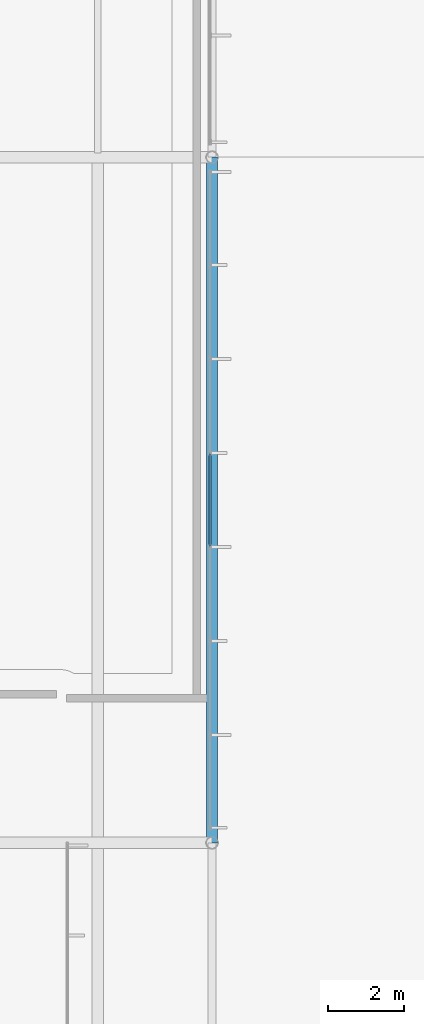
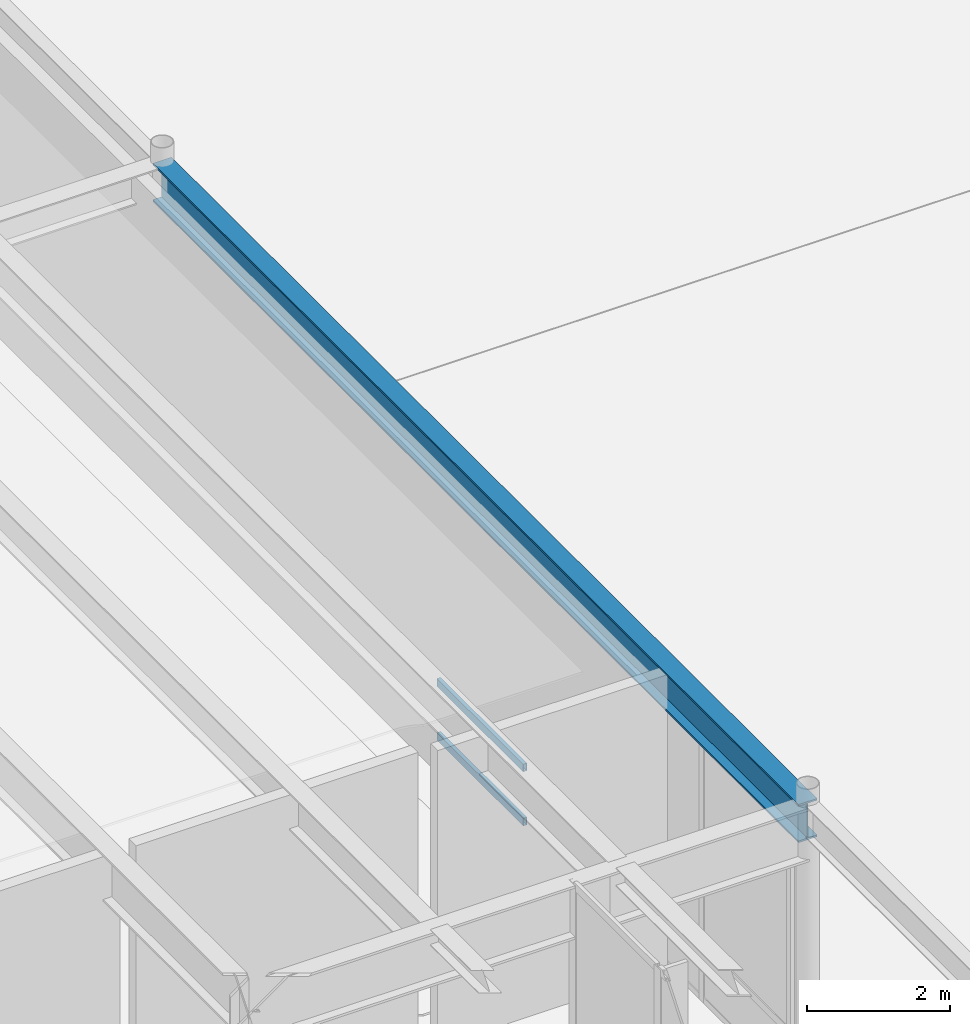
# One storey, part 74 of 143: 3 members, 1 beam, 1 element without a shape of its own.
"""IFC4 building model written with IfcOpenShell, lengths in metres."""

from ifc_helpers import new_model, si_unit, direction, frame, origin, origin_2d, place, context, subcontext, project, spatial, hollow_rectangle, i_section, extrude, material, layer, layer_set, material_profile, profile_set, type_object, element, aggregate, save


model = new_model("IFC4")

# Units and contexts
model_context = context("Model", 3, precision=1e-05, world=origin(), true_north=direction((0.0, 1.0)))
body_context = subcontext(model_context, "Body", "Model", "MODEL_VIEW")
ifc_project = project(units=[si_unit("LENGTHUNIT", "METRE"), si_unit("AREAUNIT", "SQUARE_METRE"), si_unit("VOLUMEUNIT", "CUBIC_METRE"), si_unit("PLANEANGLEUNIT", "RADIAN"), si_unit("MASSUNIT", "GRAM", prefix="KILO")], contexts=[model_context])

# Site, building, storey
site_placement = place(None, origin())
site = spatial("IfcSite", under=ifc_project, at=site_placement, CompositionType="ELEMENT")
building_placement = place(site_placement, origin())
building = spatial("IfcBuilding", under=site, at=building_placement, Name="Montelvaro Courts of Justice", CompositionType="ELEMENT")
storey_placement = place(building_placement, origin())
storey = spatial("IfcBuildingStorey", under=building, at=storey_placement, Name="L00", CompositionType="ELEMENT", Elevation=0.0)

# Beam
ifc_material_1 = material(Name="Steel S355", Category="steel")
ifc_material_profile_1 = material_profile(ifc_material_1, i_section(OverallWidth=0.300048828125, OverallDepth=0.64990234375, WebThickness=0.01611328125, FlangeThickness=0.031005859375, at=origin_2d()), Name="HEB 650")
ifc_profile_set_1 = profile_set([ifc_material_profile_1], Name="Steel S355")
beam_type = type_object("IfcBeamType", Name="Beam_HEB650", PredefinedType="USERDEFINED", material=ifc_profile_set_1)
beam_placement = place(storey_placement, frame((81.0, 78.0, 4.7548828125), z_axis=(0.0, 1.0, 0.0), x_axis=(-1.0, 0.0, 0.0)))
element("IfcBeam", 1, at=beam_placement, inside=storey, type_object=beam_type, Name="Beam B-27 L00", ObjectType="GIRDER", PredefinedType="USERDEFINED", context=body_context, shape_type="SweptSolid", body=[
    extrude(i_section(OverallWidth=0.300048828125, OverallDepth=0.64990234375, WebThickness=0.01611328125, FlangeThickness=0.031005859375, at=origin_2d()), origin(), (0.0, 0.0, 1.0), 18.0),
])

# Curtain wall, members
ifc_material_2 = material(Name="Anodised aluminium EN AW-6063", Category="aluminium")
ifc_layer = layer(ifc_material_2, 0.159912109375)
ifc_layer_set = layer_set([ifc_layer], Name="Anodised aluminium EN AW-6063")
curtain_wall_type = type_object("IfcCurtainWallType", Name="CurtainWall_02_1727x508", PredefinedType="USERDEFINED", material=ifc_layer_set)
curtain_wall_placement = place(storey_placement, origin())
curtain_wall = element("IfcCurtainWall", 2, at=curtain_wall_placement, inside=storey, type_object=curtain_wall_type, Name="Curtain Wall CW-02 (L00)", ObjectType="CURTAIN WALL", PredefinedType="USERDEFINED")
ifc_material_profile_2 = material_profile(ifc_material_2, hollow_rectangle(XDim=0.06005859375, YDim=0.1298828125, WallThickness=0.00390625, at=origin_2d()), Name="ALU-T 60x130")
ifc_profile_set_2 = profile_set([ifc_material_profile_2], Name="Anodised aluminium EN AW-6063")
member_type = type_object("IfcMemberType", Name="CurtainWall_Transom_60x130", PredefinedType="USERDEFINED", material=ifc_profile_set_2)
member_1_placement = place(storey_placement, frame((80.949951171875, 85.79638671875, 0.030029296875), z_axis=(0.0, 1.0, 0.0), x_axis=(-1.0, 0.0, 0.0)))
member_1 = element("IfcMember", 3, at=member_1_placement, type_object=member_type, Name="CW-02 transom 4.1", ObjectType="TRANSOM", PredefinedType="USERDEFINED", context=body_context, shape_type="SweptSolid", body=[
    extrude(hollow_rectangle(XDim=0.06005859375, YDim=0.1298828125, WallThickness=0.00390625, at=origin_2d()), origin(), (0.0, 0.0, 1.0), 2.4072265625),
])
member_2_placement = place(storey_placement, frame((80.949951171875, 85.79638671875, 0.949951171875), z_axis=(0.0, 1.0, 0.0), x_axis=(-1.0, 0.0, 0.0)))
member_2 = element("IfcMember", 4, at=member_2_placement, type_object=member_type, Name="CW-02 transom 4.2", ObjectType="TRANSOM", PredefinedType="USERDEFINED", context=body_context, shape_type="SweptSolid", body=[
    extrude(hollow_rectangle(XDim=0.06005859375, YDim=0.1298828125, WallThickness=0.00390625, at=origin_2d()), origin(), (0.0, 0.0, 1.0), 2.4072265625),
])
member_3_placement = place(storey_placement, frame((80.949951171875, 85.79638671875, 4.39501953125), z_axis=(0.0, 1.0, 0.0), x_axis=(-1.0, 0.0, 0.0)))
member_3 = element("IfcMember", 5, at=member_3_placement, type_object=member_type, Name="CW-02 transom 4.3", ObjectType="TRANSOM", PredefinedType="USERDEFINED", context=body_context, shape_type="SweptSolid", body=[
    extrude(hollow_rectangle(XDim=0.06005859375, YDim=0.1298828125, WallThickness=0.00390625, at=origin_2d()), origin(), (0.0, 0.0, 1.0), 2.4072265625),
])
aggregate(curtain_wall, [member_1, member_2, member_3])

save(model, "model.ifc")
